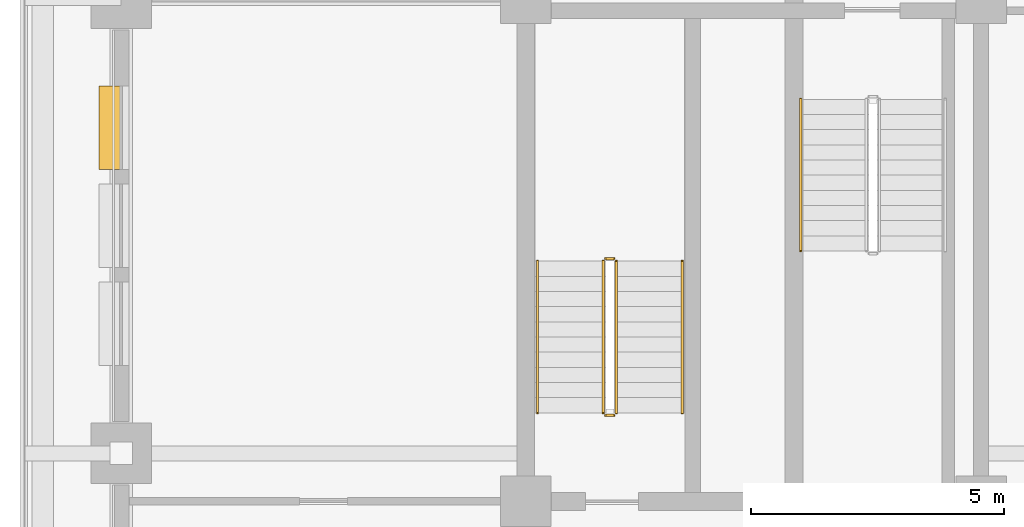
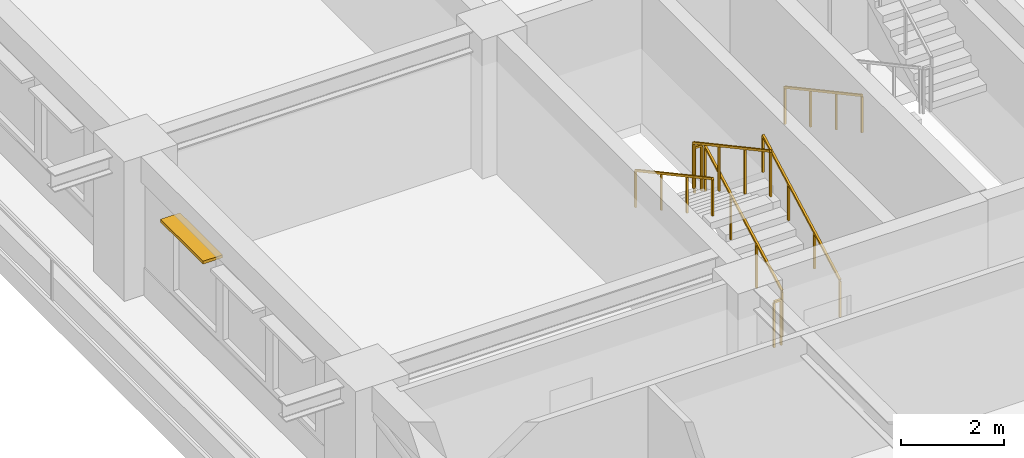
# One storey, part 8 of 14: 7 railings, 1 shading device.
"""IFC4 building model written with IfcOpenShell, lengths in metres."""

from ifc_helpers import new_model, si_unit, direction, frame, frame_2d, origin, origin_2d, place, context, subcontext, project, spatial, rectangle, extrude, material, layer, layer_set, type_object, element, save


model = new_model("IFC4")

# Units and contexts
model_context = context("Model", 3, precision=1e-05, world=origin(), true_north=direction((0.0, 1.0)))
body_context = subcontext(model_context, "Body", "Model", "MODEL_VIEW")
ifc_project = project(units=[si_unit("LENGTHUNIT", "METRE"), si_unit("AREAUNIT", "SQUARE_METRE"), si_unit("VOLUMEUNIT", "CUBIC_METRE"), si_unit("PLANEANGLEUNIT", "RADIAN"), si_unit("MASSUNIT", "GRAM", prefix="KILO")], contexts=[model_context])

# Site, building, storey
site_placement = place(None, origin())
site = spatial("IfcSite", under=ifc_project, at=site_placement, CompositionType="ELEMENT")
building_placement = place(site_placement, origin())
building = spatial("IfcBuilding", under=site, at=building_placement, Name="Zulmaris Gate Convention Tower", CompositionType="ELEMENT")
storey_placement = place(building_placement, frame((0.0, 0.0, 135.6298828125)))
storey = spatial("IfcBuildingStorey", under=building, at=storey_placement, Name="L34", CompositionType="ELEMENT", Elevation=135.6298828125)

# Railings
ifc_material_1 = material(Name="Painted Galvanised Steel", Category="steel")
railing_type_1 = type_object("IfcRailingType", Name="RL-STG-1150", PredefinedType="GUARDRAIL", material=ifc_material_1)
railing_1_placement = place(storey_placement, frame((-18.2099609375, -8.199951171875, 0.162353515625)))
element("IfcRailing", 1, at=railing_1_placement, inside=storey, type_object=railing_type_1, Name="L34 ST-3 stair guard 1", PredefinedType="GUARDRAIL", context=body_context, shape_type="SweptSolid", body=[
    extrude(rectangle(XDim=0.048095703125, YDim=0.048095703125, at=origin_2d()), frame((0.0, 0.0, 1.076171875), z_axis=(0.0, 0.8795616155, 0.475784998228), x_axis=(-1.0, 0.0, 0.0)), (0.0, 0.0, 1.0), 3.410888671875),
    extrude(rectangle(XDim=0.0419921875, YDim=0.0419921875, at=origin_2d()), origin(), (0.0, 0.0, 1.0), 1.052001953125),
    extrude(rectangle(XDim=0.0419921875, YDim=0.0419921875, at=origin_2d()), frame((0.0, 1.0, 0.541015625)), (0.0, 0.0, 1.0), 1.052001953125),
    extrude(rectangle(XDim=0.0419921875, YDim=0.0419921875, at=origin_2d()), frame((0.0, 2.0, 1.081787109375)), (0.0, 0.0, 1.0), 1.052001953125),
    extrude(rectangle(XDim=0.0419921875, YDim=0.0419921875, at=origin_2d()), frame((0.0, 3.0, 1.622802734375)), (0.0, 0.0, 1.0), 1.052001953125),
])
railing_2_placement = place(storey_placement, frame((-18.260009765625, -5.14990234375, 1.78515625)))
element("IfcRailing", 2, at=railing_2_placement, inside=storey, type_object=railing_type_1, Name="L34 ST-3 stair guard 2", PredefinedType="GUARDRAIL", context=body_context, shape_type="SweptSolid", body=[
    extrude(rectangle(XDim=0.048095703125, YDim=0.048095703125, at=origin_2d()), frame((0.0, 0.0, 1.076171875), z_axis=(-1.0, 0.0, 0.0), x_axis=(0.0, -1.0, 0.0)), (0.0, 0.0, 1.0), 0.159912109375),
    extrude(rectangle(XDim=0.0419921875, YDim=0.0419921875, at=origin_2d()), origin(), (0.0, 0.0, 1.0), 1.052001953125),
    extrude(rectangle(XDim=0.0419921875, YDim=0.0419921875, at=origin_2d()), frame((-0.159912109375, 0.0, 0.0)), (0.0, 0.0, 1.0), 1.052001953125),
])
railing_3_placement = place(storey_placement, frame((-18.469970703125, -5.199951171875, 1.947265625)))
element("IfcRailing", 3, at=railing_3_placement, inside=storey, type_object=railing_type_1, Name="L34 ST-3 stair guard 3", PredefinedType="GUARDRAIL", context=body_context, shape_type="SweptSolid", body=[
    extrude(rectangle(XDim=0.048095703125, YDim=0.048095703125, at=origin_2d()), frame((0.0, 0.0, 1.076171875), z_axis=(0.0, -0.8795616155, 0.475784998228), x_axis=(1.0, 0.0, 0.0)), (0.0, 0.0, 1.0), 3.410888671875),
    extrude(rectangle(XDim=0.0419921875, YDim=0.0419921875, at=origin_2d()), origin(), (0.0, 0.0, 1.0), 1.052001953125),
    extrude(rectangle(XDim=0.0419921875, YDim=0.0419921875, at=origin_2d()), frame((0.0, -1.0, 0.541015625)), (0.0, 0.0, 1.0), 1.052001953125),
    extrude(rectangle(XDim=0.0419921875, YDim=0.0419921875, at=origin_2d()), frame((0.0, -2.0, 1.081787109375)), (0.0, 0.0, 1.0), 1.052001953125),
    extrude(rectangle(XDim=0.0419921875, YDim=0.0419921875, at=origin_2d()), frame((0.0, -3.0, 1.622802734375)), (0.0, 0.0, 1.0), 1.052001953125),
])
railing_4_placement = place(storey_placement, frame((-18.260009765625, -8.25, 0.0)))
element("IfcRailing", 4, at=railing_4_placement, inside=storey, type_object=railing_type_1, Name="L34 ST-3 stair guard 4", PredefinedType="GUARDRAIL", context=body_context, shape_type="SweptSolid", body=[
    extrude(rectangle(XDim=0.048095703125, YDim=0.048095703125, at=origin_2d()), frame((0.0, 0.0, 1.076171875), z_axis=(-1.0, 0.0, 0.0), x_axis=(0.0, -1.0, 0.0)), (0.0, 0.0, 1.0), 0.159912109375),
    extrude(rectangle(XDim=0.0419921875, YDim=0.0419921875, at=origin_2d()), origin(), (0.0, 0.0, 1.0), 1.052001953125),
    extrude(rectangle(XDim=0.0419921875, YDim=0.0419921875, at=origin_2d()), frame((-0.159912109375, 0.0, 0.0)), (0.0, 0.0, 1.0), 1.052001953125),
])
ifc_material_2 = material(Name="Brushed Stainless Steel", Category="steel")
railing_type_2 = type_object("IfcRailingType", Name="RL-STH-900", PredefinedType="HANDRAIL", material=ifc_material_2)
railing_5_placement = place(storey_placement, frame((-14.570068359375, -2.0, 0.162353515625)))
element("IfcRailing", 5, at=railing_5_placement, inside=storey, type_object=railing_type_2, Name="L34 ST-1 stair handrail 1", PredefinedType="HANDRAIL", context=body_context, shape_type="SweptSolid", body=[
    extrude(rectangle(XDim=0.048095703125, YDim=0.048095703125, at=origin_2d()), frame((0.0, 0.0, 0.8759765625), z_axis=(0.0, -0.8795616155, 0.475784998228), x_axis=(1.0, 0.0, 0.0)), (0.0, 0.0, 1.0), 3.410888671875),
    extrude(rectangle(XDim=0.0419921875, YDim=0.0419921875, at=origin_2d()), origin(), (0.0, 0.0, 1.0), 0.851806640625),
    extrude(rectangle(XDim=0.0419921875, YDim=0.0419921875, at=origin_2d()), frame((0.0, -1.0, 0.541015625)), (0.0, 0.0, 1.0), 0.851806640625),
    extrude(rectangle(XDim=0.0419921875, YDim=0.0419921875, at=origin_2d()), frame((0.0, -2.0, 1.081787109375)), (0.0, 0.0, 1.0), 0.851806640625),
    extrude(rectangle(XDim=0.0419921875, YDim=0.0419921875, at=origin_2d()), frame((0.0, -3.0, 1.622802734375)), (0.0, 0.0, 1.0), 0.851806640625),
])
railing_6_placement = place(storey_placement, frame((-16.909912109375, -8.199951171875, 0.162353515625)))
element("IfcRailing", 6, at=railing_6_placement, inside=storey, type_object=railing_type_2, Name="L34 ST-3 stair handrail 1", PredefinedType="HANDRAIL", context=body_context, shape_type="SweptSolid", body=[
    extrude(rectangle(XDim=0.048095703125, YDim=0.048095703125, at=origin_2d()), frame((0.0, 0.0, 0.8759765625), z_axis=(0.0, 0.8795616155, 0.475784998228), x_axis=(-1.0, 0.0, 0.0)), (0.0, 0.0, 1.0), 3.410888671875),
    extrude(rectangle(XDim=0.0419921875, YDim=0.0419921875, at=origin_2d()), origin(), (0.0, 0.0, 1.0), 0.851806640625),
    extrude(rectangle(XDim=0.0419921875, YDim=0.0419921875, at=origin_2d()), frame((0.0, 1.0, 0.541015625)), (0.0, 0.0, 1.0), 0.851806640625),
    extrude(rectangle(XDim=0.0419921875, YDim=0.0419921875, at=origin_2d()), frame((0.0, 2.0, 1.081787109375)), (0.0, 0.0, 1.0), 0.851806640625),
    extrude(rectangle(XDim=0.0419921875, YDim=0.0419921875, at=origin_2d()), frame((0.0, 3.0, 1.622802734375)), (0.0, 0.0, 1.0), 0.851806640625),
])
railing_7_placement = place(storey_placement, frame((-19.77001953125, -5.199951171875, 1.947265625)))
element("IfcRailing", 7, at=railing_7_placement, inside=storey, type_object=railing_type_2, Name="L34 ST-3 stair handrail 2", PredefinedType="HANDRAIL", context=body_context, shape_type="SweptSolid", body=[
    extrude(rectangle(XDim=0.048095703125, YDim=0.048095703125, at=origin_2d()), frame((0.0, 0.0, 0.8759765625), z_axis=(0.0, -0.8795616155, 0.475784998228), x_axis=(1.0, 0.0, 0.0)), (0.0, 0.0, 1.0), 3.410888671875),
    extrude(rectangle(XDim=0.0419921875, YDim=0.0419921875, at=origin_2d()), origin(), (0.0, 0.0, 1.0), 0.851806640625),
    extrude(rectangle(XDim=0.0419921875, YDim=0.0419921875, at=origin_2d()), frame((0.0, -1.0, 0.541015625)), (0.0, 0.0, 1.0), 0.851806640625),
    extrude(rectangle(XDim=0.0419921875, YDim=0.0419921875, at=origin_2d()), frame((0.0, -2.0, 1.081787109375)), (0.0, 0.0, 1.0), 0.851806640625),
    extrude(rectangle(XDim=0.0419921875, YDim=0.0419921875, at=origin_2d()), frame((0.0, -3.0, 1.622802734375)), (0.0, 0.0, 1.0), 0.851806640625),
])

# Shading device
ifc_material_3 = material(Name="Glazed Ceramic Terracotta", Category="masonry")
ifc_layer = layer(ifc_material_3, 0.070068359375, Name="Glazed Ceramic Terracotta")
ifc_layer_set = layer_set([ifc_layer], Name="Glazed Ceramic Terracotta")
shading_device_type = type_object("IfcShadingDeviceType", Name="SHD-SUNSHADE-TC", PredefinedType="AWNING", material=ifc_layer_set)
shading_device_placement = place(storey_placement, frame((-28.219970703125, -1.739990234375, 2.530029296875), z_axis=(0.0, 0.0, 1.0), x_axis=(0.0, -1.0, 0.0)))
element("IfcShadingDevice", 8, at=shading_device_placement, inside=storey, type_object=shading_device_type, Name="SHD-EW-L34-W-1_0-1", PredefinedType="AWNING", context=body_context, shape_type="SweptSolid", body=[
    extrude(rectangle(XDim=1.64990234375, YDim=0.43994140625, at=frame_2d((0.824951171875, 0.0))), origin(), (0.0, 0.0, 1.0), 0.070068359375),
])

save(model, "model.ifc")
